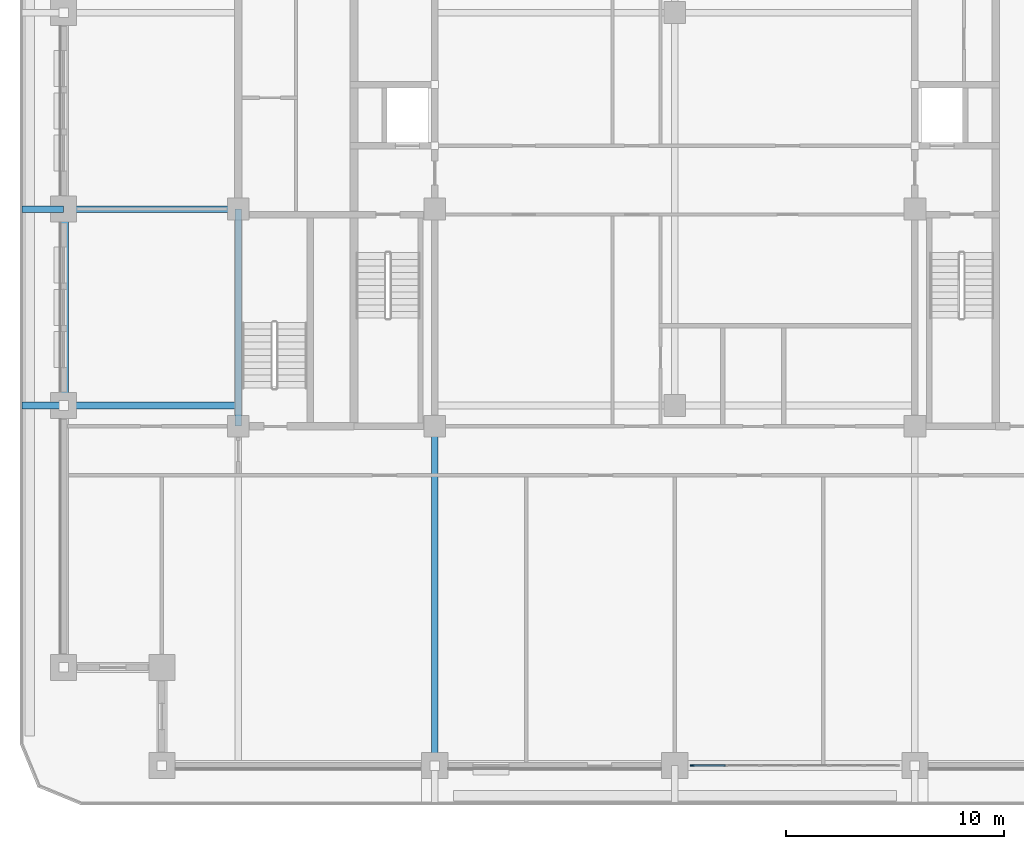
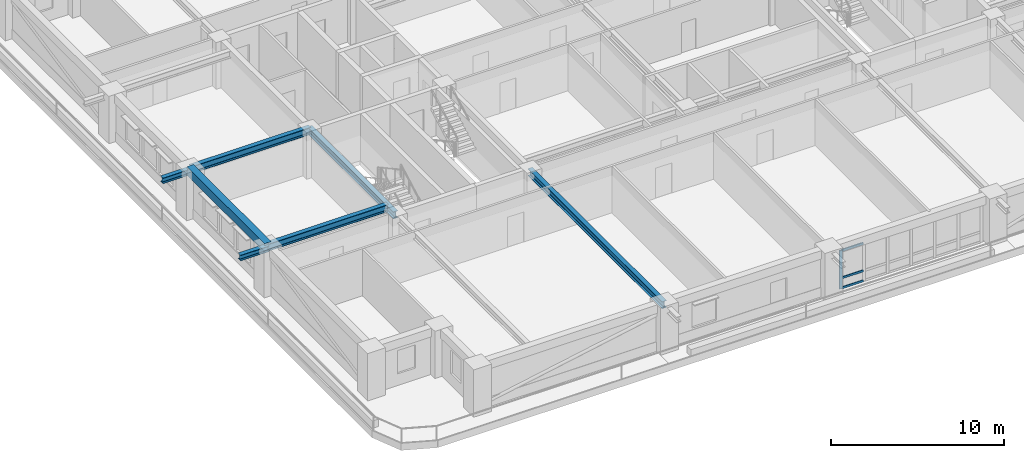
# One storey, part 2 of 20: 7 beams, 4 members, 1 element without a shape of its own.
"""IFC4 building model written with IfcOpenShell, lengths in metres."""

from ifc_helpers import new_model, si_unit, direction, frame, origin, origin_2d, place, context, subcontext, project, spatial, rectangle, i_section, extrude, material, material_profile, profile_set, type_object, element, aggregate, save


model = new_model("IFC4")

# Units and contexts
model_context = context("Model", 3, precision=1e-05, world=origin(), true_north=direction((0.0, 1.0)))
body_context = subcontext(model_context, "Body", "Model", "MODEL_VIEW")
ifc_project = project(units=[si_unit("LENGTHUNIT", "METRE"), si_unit("AREAUNIT", "SQUARE_METRE"), si_unit("VOLUMEUNIT", "CUBIC_METRE"), si_unit("PLANEANGLEUNIT", "RADIAN"), si_unit("MASSUNIT", "GRAM", prefix="KILO")], contexts=[model_context])

# Site, building, storey
site_placement = place(None, origin())
site = spatial("IfcSite", under=ifc_project, at=site_placement, CompositionType="ELEMENT")
building_placement = place(site_placement, origin())
building = spatial("IfcBuilding", under=site, at=building_placement, Name="Zulmaris Gate Convention Tower", CompositionType="ELEMENT")
storey_placement = place(building_placement, frame((0.0, 0.0, 142.769775390625)))
storey = spatial("IfcBuildingStorey", under=building, at=storey_placement, Name="L36", CompositionType="ELEMENT", Elevation=142.769775390625)

# Beams
ifc_material_1 = material(Name="Steel S355", Category="steel")
ifc_material_profile_1 = material_profile(ifc_material_1, i_section(OverallWidth=0.300048828125, OverallDepth=0.39990234375, WebThickness=0.013427734375, FlangeThickness=0.02392578125, FilletRadius=0.027099609375, at=origin_2d()), Name="HEB 400")
ifc_profile_set_1 = profile_set([ifc_material_profile_1], Name="Steel S355")
beam_type_1 = type_object("IfcBeamType", Name="BM-HEB400", PredefinedType="BEAM", material=ifc_profile_set_1)
for number, where, z_axis, x_axis, name in (
    (1, (-29.89990234375, -9.0, 2.97998046875), (1.0, 0.0, 0.0), (0.0, 1.0, 0.0), "L36 Beam TBRK-L36-W--9"),
    (2, (-29.89990234375, 0.0, 2.97998046875), (1.0, 0.0, 0.0), (0.0, 1.0, 0.0), "L36 Beam TBRK-L36-W-+0"),
):
    element("IfcBeam", number, at=place(storey_placement, frame(where, z_axis=z_axis, x_axis=x_axis)), inside=storey, type_object=beam_type_1, Name=name, PredefinedType="BEAM", context=body_context, shape_type="SweptSolid", body=[
        extrude(i_section(OverallWidth=0.300048828125, OverallDepth=0.39990234375, WebThickness=0.013427734375, FlangeThickness=0.02392578125, FilletRadius=0.027099609375, at=origin_2d()), origin(), (0.0, 0.0, 1.0), 1.89990234375),
    ])
ifc_material_profile_2 = material_profile(ifc_material_1, i_section(OverallWidth=0.300048828125, OverallDepth=0.5, WebThickness=0.014404296875, FlangeThickness=0.028076171875, FilletRadius=0.027099609375, at=origin_2d()), Name="HEB 500")
ifc_profile_set_2 = profile_set([ifc_material_profile_2], Name="Steel S355")
beam_type_2 = type_object("IfcBeamType", Name="BM-HEB500", PredefinedType="BEAM", material=ifc_profile_set_2)
beam_1_placement = place(storey_placement, frame((-11.0, -25.5, 2.992919921875), z_axis=(0.0, 1.0, 0.0), x_axis=(-1.0, 0.0, 0.0)))
element("IfcBeam", 3, at=beam_1_placement, inside=storey, type_object=beam_type_2, Name="L36 Beam BM-L36-G08", PredefinedType="BEAM", context=body_context, shape_type="SweptSolid", body=[
    extrude(i_section(OverallWidth=0.300048828125, OverallDepth=0.5, WebThickness=0.014404296875, FlangeThickness=0.028076171875, FilletRadius=0.027099609375, at=origin_2d()), origin(), (0.0, 0.0, 1.0), 15.550048828125),
])
for number, where, z_axis, x_axis, name in (
    (4, (-28.0, -9.0, 3.068115234375), (1.0, 0.0, 0.0), (0.0, 1.0, 0.0), "L36 Beam BM-L36-G16"),
    (5, (-28.0, 0.0, 3.068115234375), (1.0, 0.0, 0.0), (0.0, 1.0, 0.0), "L36 Beam BM-L36-G17"),
):
    element("IfcBeam", number, at=place(storey_placement, frame(where, z_axis=z_axis, x_axis=x_axis)), inside=storey, type_object=beam_type_2, Name=name, PredefinedType="BEAM", context=body_context, shape_type="SweptSolid", body=[
        extrude(i_section(OverallWidth=0.300048828125, OverallDepth=0.5, WebThickness=0.014404296875, FlangeThickness=0.028076171875, FilletRadius=0.027099609375, at=origin_2d()), origin(), (0.0, 0.0, 1.0), 8.0),
    ])
beam_2_placement = place(storey_placement, frame((-20.0, -9.949951171875, 3.068115234375), z_axis=(0.0, 1.0, 0.0), x_axis=(-1.0, 0.0, 0.0)))
element("IfcBeam", 6, at=beam_2_placement, inside=storey, type_object=beam_type_2, Name="L36 Beam BM-L36-G26", PredefinedType="BEAM", context=body_context, shape_type="SweptSolid", body=[
    extrude(i_section(OverallWidth=0.300048828125, OverallDepth=0.5, WebThickness=0.014404296875, FlangeThickness=0.028076171875, FilletRadius=0.027099609375, at=origin_2d()), origin(), (0.0, 0.0, 1.0), 9.949951171875),
])
ifc_material_2 = material(Name="Precast concrete C50/60", Category="concrete")
ifc_material_profile_3 = material_profile(ifc_material_2, rectangle(XDim=0.449951171875, YDim=0.60009765625, at=origin_2d()), Name="RC SPANDREL 450x600")
ifc_profile_set_3 = profile_set([ifc_material_profile_3], Name="Precast concrete C50/60")
beam_type_3 = type_object("IfcBeamType", Name="BM-SP450x600", PredefinedType="SPANDREL", material=ifc_profile_set_3)
beam_3_placement = place(storey_placement, frame((-28.0, 0.0, 3.02001953125), z_axis=(0.0, -1.0, 0.0), x_axis=(1.0, 0.0, 0.0)))
element("IfcBeam", 7, at=beam_3_placement, inside=storey, type_object=beam_type_3, Name="L36 Spandrel SP-L36-21", PredefinedType="SPANDREL", context=body_context, shape_type="SweptSolid", body=[
    extrude(rectangle(XDim=0.449951171875, YDim=0.60009765625, at=origin_2d()), origin(), (0.0, 0.0, 1.0), 9.0),
])

# Curtain wall, members
ifc_material_3 = material(Name="Anodised Aluminium", Category="aluminium")
curtain_wall_type = type_object("IfcCurtainWallType", Name="CW-06", PredefinedType="NOTDEFINED", material=ifc_material_3)
curtain_wall_placement = place(storey_placement, origin())
curtain_wall = element("IfcCurtainWall", 8, at=curtain_wall_placement, inside=storey, type_object=curtain_wall_type, Name="CW-06 CW06-L36-S-2_0", PredefinedType="NOTDEFINED")
ifc_material_profile_4 = material_profile(ifc_material_3, rectangle(XDim=0.074951171875, YDim=0.179931640625, at=origin_2d()), Name="ALU MULLION 75x180")
ifc_profile_set_4 = profile_set([ifc_material_profile_4], Name="Anodised Aluminium")
member_type_1 = type_object("IfcMemberType", Name="CW-06-MULL", PredefinedType="MULLION", material=ifc_profile_set_4)
member_1_placement = place(storey_placement, frame((0.797607421875, -25.5, 0.0), z_axis=(0.0, 0.0, 1.0), x_axis=(0.0, 1.0, 0.0)))
member_1 = element("IfcMember", 9, at=member_1_placement, type_object=member_type_1, Name="CW-06 mullion 1", PredefinedType="MULLION", context=body_context, shape_type="SweptSolid", body=[
    extrude(rectangle(XDim=0.074951171875, YDim=0.179931640625, at=origin_2d()), origin(), (0.0, 0.0, 1.0), 2.7119140625),
])
ifc_material_profile_5 = material_profile(ifc_material_3, rectangle(XDim=0.074951171875, YDim=0.14990234375, at=origin_2d()), Name="ALU TRANSOM 75x150")
ifc_profile_set_5 = profile_set([ifc_material_profile_5], Name="Anodised Aluminium")
member_type_2 = type_object("IfcMemberType", Name="CW-06-TRAN", PredefinedType="USERDEFINED", material=ifc_profile_set_5)
member_2_placement = place(storey_placement, frame((0.8349609375, -25.5, 0.03759765625), z_axis=(1.0, 0.0, 0.0), x_axis=(0.0, 1.0, 0.0)))
member_2 = element("IfcMember", 10, at=member_2_placement, type_object=member_type_2, Name="CW-06 transom 1.1", ObjectType="TRANSOM", PredefinedType="USERDEFINED", context=body_context, shape_type="SweptSolid", body=[
    extrude(rectangle(XDim=0.074951171875, YDim=0.14990234375, at=origin_2d()), origin(), (0.0, 0.0, 1.0), 1.467529296875),
])
member_3_placement = place(storey_placement, frame((0.8349609375, -25.5, 0.75), z_axis=(1.0, 0.0, 0.0), x_axis=(0.0, 1.0, 0.0)))
member_3 = element("IfcMember", 11, at=member_3_placement, type_object=member_type_2, Name="CW-06 transom 1.2", ObjectType="TRANSOM", PredefinedType="USERDEFINED", context=body_context, shape_type="SweptSolid", body=[
    extrude(rectangle(XDim=0.074951171875, YDim=0.14990234375, at=origin_2d()), origin(), (0.0, 0.0, 1.0), 1.467529296875),
])
member_4_placement = place(storey_placement, frame((0.8349609375, -25.5, 2.674560546875), z_axis=(1.0, 0.0, 0.0), x_axis=(0.0, 1.0, 0.0)))
member_4 = element("IfcMember", 12, at=member_4_placement, type_object=member_type_2, Name="CW-06 transom 1.3", ObjectType="TRANSOM", PredefinedType="USERDEFINED", context=body_context, shape_type="SweptSolid", body=[
    extrude(rectangle(XDim=0.074951171875, YDim=0.14990234375, at=origin_2d()), origin(), (0.0, 0.0, 1.0), 1.467529296875),
])
aggregate(curtain_wall, [member_1, member_2, member_3, member_4])

save(model, "model.ifc")
